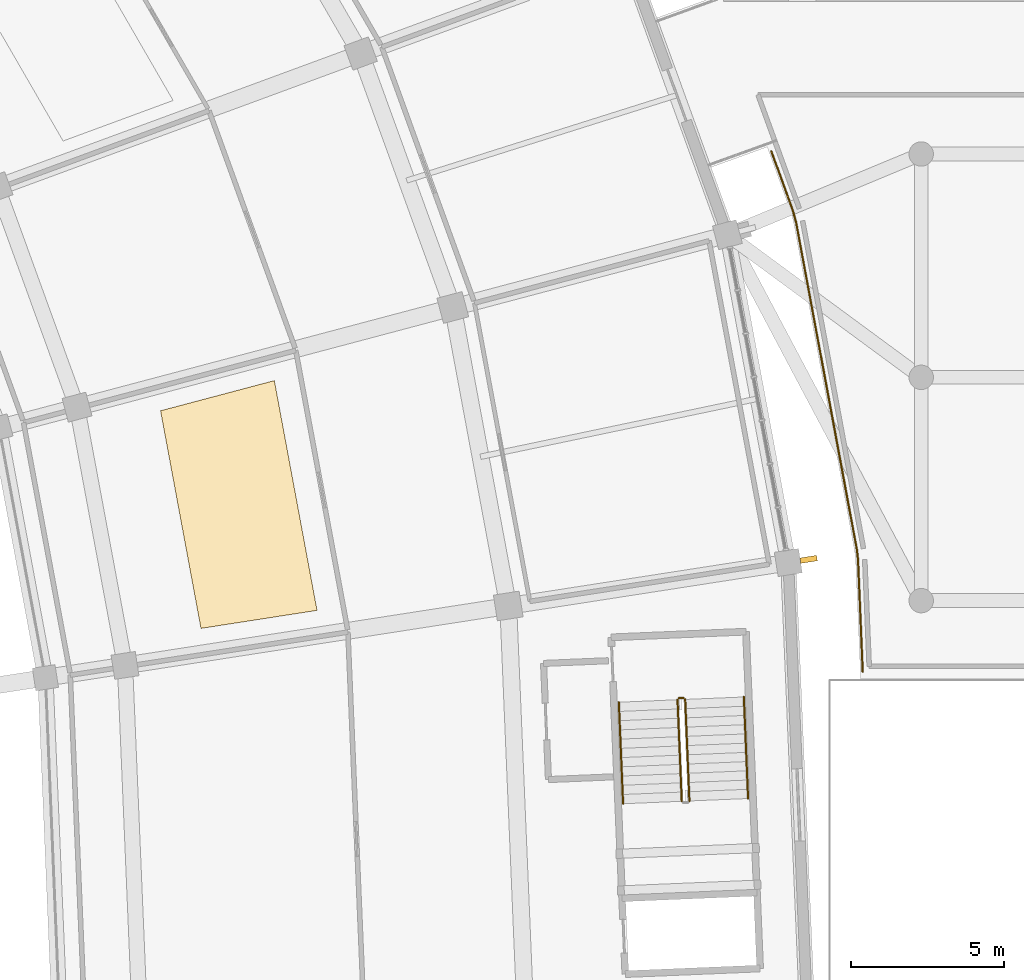
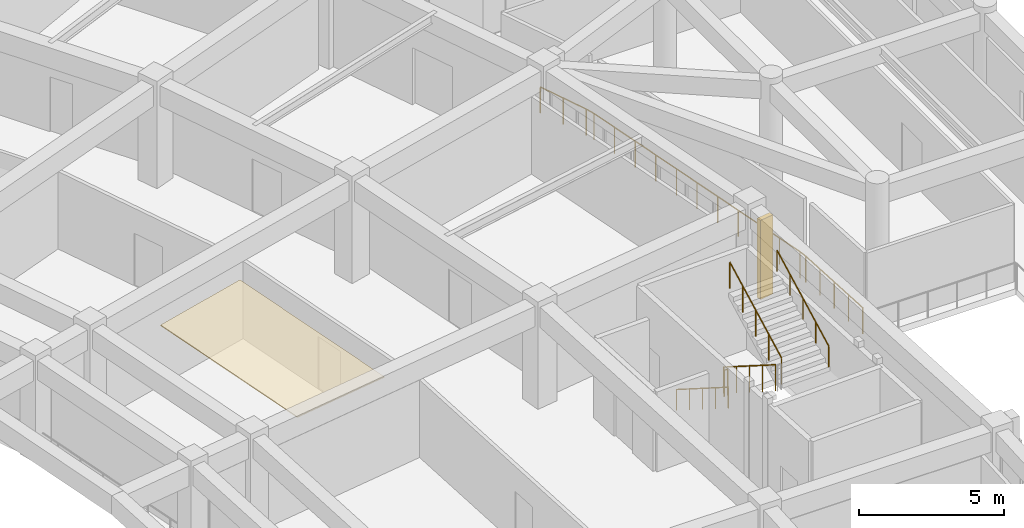
# One storey, part 134 of 145: 6 railings, 1 covering, 1 shading device.
"""IFC4 building model written with IfcOpenShell, lengths in metres."""

from ifc_helpers import new_model, si_unit, direction, frame, origin, origin_2d, place, context, subcontext, project, spatial, polyline, rectangle, circle, outline, extrude, material, layer, layer_set, type_object, element, save


model = new_model("IFC4")

# Units and contexts
model_context = context("Model", 3, precision=1e-05, world=origin(), true_north=direction((0.0, 1.0)))
body_context = subcontext(model_context, "Body", "Model", "MODEL_VIEW")
ifc_project = project(units=[si_unit("LENGTHUNIT", "METRE"), si_unit("AREAUNIT", "SQUARE_METRE"), si_unit("VOLUMEUNIT", "CUBIC_METRE"), si_unit("PLANEANGLEUNIT", "RADIAN"), si_unit("MASSUNIT", "GRAM", prefix="KILO")], contexts=[model_context])

# Site, building, storey
site_placement = place(None, origin())
site = spatial("IfcSite", under=ifc_project, at=site_placement, CompositionType="ELEMENT")
building_placement = place(site_placement, origin())
building = spatial("IfcBuilding", under=site, at=building_placement, Name="Mphavela Belvedere Stadium", CompositionType="ELEMENT")
storey_placement = place(building_placement, frame((0.0, 0.0, 10.199951171875)))
storey = spatial("IfcBuildingStorey", under=building, at=storey_placement, Name="L02", CompositionType="ELEMENT", Elevation=10.199951171875)

# Covering
ifc_material_1 = material(Name="Perforated acoustic mineral ceiling tile")
ifc_layer = layer(ifc_material_1, 0.0400390625)
ifc_layer_set = layer_set([ifc_layer], Name="Perforated acoustic mineral ceiling tile")
covering_type = type_object("IfcCoveringType", Name="COV-CEILING-ACOUSTIC", PredefinedType="CEILING", material=ifc_layer_set)
covering_placement = place(storey_placement, frame((0.0, 0.0, 3.199951171875)))
element("IfcCovering", 1, at=covering_placement, inside=storey, type_object=covering_type, Name="Concourse acoustic ceiling L02-02", PredefinedType="CEILING", context=body_context, shape_type="SweptSolid", body=[
    extrude(outline(polyline([(197.955322265625, 100.692626953125), (196.634033203125, 107.806396484375), (200.353271484375, 108.79248046875), (201.74853515625, 101.281005859375), (197.955322265625, 100.692626953125)])), origin(), (0.0, 0.0, 1.0), 0.0400390625),
])

# Railings
ifc_material_2 = material(Name="Bronze and laminated glass stadium balustrade", Category="glass")
railing_type_1 = type_object("IfcRailingType", Name="RAL-BALUSTRADE-1120", PredefinedType="BALUSTRADE", material=ifc_material_2)
railing_1_placement = place(storey_placement, frame((219.5869140625, 99.280029296875, 0.0)))
element("IfcRailing", 2, at=railing_1_placement, inside=storey, type_object=railing_type_1, Name="Peristyle wing gallery edge balustrade L02-62", PredefinedType="BALUSTRADE", context=body_context, shape_type="SweptSolid", body=[
    extrude(circle(Radius=0.02392578125, at=origin_2d()), frame((0.0, 0.0, 1.09619140625), z_axis=(-0.041913249869, 0.999121253645, 0.0), x_axis=(-0.999121253645, -0.041913249869, 0.0)), (0.0, 0.0, 1.0), 3.663818359375),
    extrude(circle(Radius=0.02392578125, at=origin_2d()), frame((-0.153564453125, 3.66064453125, 1.09619140625), z_axis=(-0.111925462349, 0.993716604912, 0.0), x_axis=(-0.993716604912, -0.111925462349, 0.0)), (0.0, 0.0, 1.0), 0.32275390625),
    extrude(circle(Radius=0.02392578125, at=origin_2d()), frame((-0.189697265625, 3.9814453125, 1.09619140625), z_axis=(-0.182655268054, 0.983177020201, 0.0), x_axis=(-0.983177020201, -0.182655268054, 0.0)), (0.0, 0.0, 1.0), 10.904052734375),
    extrude(circle(Radius=0.02392578125, at=origin_2d()), frame((-2.181396484375, 14.7021484375, 1.09619140625), z_axis=(-0.263228770057, 0.96473344226, 0.0), x_axis=(-0.96473344226, -0.263228770057, 0.0)), (0.0, 0.0, 1.0), 0.37109375),
    extrude(circle(Radius=0.02392578125, at=origin_2d()), frame((-2.279052734375, 15.06005859375, 1.09619140625), z_axis=(-0.3409855965, 0.940068520364, 0.0), x_axis=(-0.940068520364, -0.3409855965, 0.0)), (0.0, 0.0, 1.0), 2.070556640625),
    extrude(circle(Radius=0.02099609375, at=origin_2d()), origin(), (0.0, 0.0, 1.0), 1.072021484375),
    extrude(circle(Radius=0.02099609375, at=origin_2d()), frame((-0.038330078125, 0.9150390625, 0.0)), (0.0, 0.0, 1.0), 1.072021484375),
    extrude(circle(Radius=0.02099609375, at=origin_2d()), frame((-0.07666015625, 1.830322265625, 0.0)), (0.0, 0.0, 1.0), 1.072021484375),
    extrude(circle(Radius=0.02099609375, at=origin_2d()), frame((-0.115234375, 2.74560546875, 0.0)), (0.0, 0.0, 1.0), 1.072021484375),
    extrude(circle(Radius=0.02099609375, at=origin_2d()), frame((-0.153564453125, 3.66064453125, 0.0)), (0.0, 0.0, 1.0), 1.072021484375),
    extrude(circle(Radius=0.02099609375, at=origin_2d()), frame((-0.189697265625, 3.9814453125, 0.0)), (0.0, 0.0, 1.0), 1.072021484375),
    extrude(circle(Radius=0.02099609375, at=origin_2d()), frame((-0.388916015625, 5.053466796875, 0.0)), (0.0, 0.0, 1.0), 1.072021484375),
    extrude(circle(Radius=0.02099609375, at=origin_2d()), frame((-0.588134765625, 6.12548828125, 0.0)), (0.0, 0.0, 1.0), 1.072021484375),
    extrude(circle(Radius=0.02099609375, at=origin_2d()), frame((-0.787109375, 7.19775390625, 0.0)), (0.0, 0.0, 1.0), 1.072021484375),
    extrude(circle(Radius=0.02099609375, at=origin_2d()), frame((-0.986328125, 8.269775390625, 0.0)), (0.0, 0.0, 1.0), 1.072021484375),
    extrude(circle(Radius=0.02099609375, at=origin_2d()), frame((-1.185546875, 9.341796875, 0.0)), (0.0, 0.0, 1.0), 1.072021484375),
    extrude(circle(Radius=0.02099609375, at=origin_2d()), frame((-1.384765625, 10.413818359375, 0.0)), (0.0, 0.0, 1.0), 1.072021484375),
    extrude(circle(Radius=0.02099609375, at=origin_2d()), frame((-1.583984375, 11.48583984375, 0.0)), (0.0, 0.0, 1.0), 1.072021484375),
    extrude(circle(Radius=0.02099609375, at=origin_2d()), frame((-1.782958984375, 12.55810546875, 0.0)), (0.0, 0.0, 1.0), 1.072021484375),
    extrude(circle(Radius=0.02099609375, at=origin_2d()), frame((-1.982177734375, 13.630126953125, 0.0)), (0.0, 0.0, 1.0), 1.072021484375),
    extrude(circle(Radius=0.02099609375, at=origin_2d()), frame((-2.181396484375, 14.7021484375, 0.0)), (0.0, 0.0, 1.0), 1.072021484375),
    extrude(circle(Radius=0.02099609375, at=origin_2d()), frame((-2.279052734375, 15.06005859375, 0.0)), (0.0, 0.0, 1.0), 1.072021484375),
    extrude(circle(Radius=0.02099609375, at=origin_2d()), frame((-2.632080078125, 16.033203125, 0.0)), (0.0, 0.0, 1.0), 1.072021484375),
    extrude(circle(Radius=0.02099609375, at=origin_2d()), frame((-2.985107421875, 17.006591796875, 0.0)), (0.0, 0.0, 1.0), 1.072021484375),
])
ifc_material_3 = material(Name="Painted galvanised steel stair guardrail", Category="steel")
railing_type_2 = type_object("IfcRailingType", Name="RAL-GUARD-1120", PredefinedType="GUARDRAIL", material=ifc_material_3)
railing_2_placement = place(storey_placement, frame((213.532958984375, 98.359375, 0.1875)))
element("IfcRailing", 3, at=railing_2_placement, inside=storey, type_object=railing_type_2, Name="L02 ST-C01 stair guard 1", PredefinedType="GUARDRAIL", context=body_context, shape_type="SweptSolid", body=[
    extrude(circle(Radius=0.02392578125, at=origin_2d()), frame((0.0, 0.0, 1.09619140625), z_axis=(0.035589037861, -0.848829771435, 0.527467003243), x_axis=(0.999122212945, 0.041890375975, 0.0)), (0.0, 0.0, 1.0), 3.91015625),
    extrude(circle(Radius=0.02099609375, at=origin_2d()), origin(), (0.0, 0.0, 1.0), 1.072021484375),
    extrude(circle(Radius=0.02099609375, at=origin_2d()), frame((0.03466796875, -0.829833984375, 0.515625)), (0.0, 0.0, 1.0), 1.072021484375),
    extrude(circle(Radius=0.02099609375, at=origin_2d()), frame((0.069580078125, -1.65966796875, 1.03125)), (0.0, 0.0, 1.0), 1.072021484375),
    extrude(circle(Radius=0.02099609375, at=origin_2d()), frame((0.1044921875, -2.4892578125, 1.546875)), (0.0, 0.0, 1.0), 1.072021484375),
    extrude(circle(Radius=0.02099609375, at=origin_2d()), frame((0.13916015625, -3.319091796875, 2.0625)), (0.0, 0.0, 1.0), 1.072021484375),
])
railing_3_placement = place(storey_placement, frame((213.921875, 95.05078125, 2.4375)))
element("IfcRailing", 4, at=railing_3_placement, inside=storey, type_object=railing_type_2, Name="L02 ST-C01 stair guard 3", PredefinedType="GUARDRAIL", context=body_context, shape_type="SweptSolid", body=[
    extrude(circle(Radius=0.02392578125, at=origin_2d()), frame((0.0, 0.0, 1.09619140625), z_axis=(-0.035589037861, 0.848829771435, 0.527467003243), x_axis=(-0.999122212945, -0.041890375975, 0.0)), (0.0, 0.0, 1.0), 3.91015625),
    extrude(circle(Radius=0.02099609375, at=origin_2d()), origin(), (0.0, 0.0, 1.0), 1.072021484375),
    extrude(circle(Radius=0.02099609375, at=origin_2d()), frame((-0.03466796875, 0.829833984375, 0.515625)), (0.0, 0.0, 1.0), 1.072021484375),
    extrude(circle(Radius=0.02099609375, at=origin_2d()), frame((-0.069580078125, 1.65966796875, 1.03125)), (0.0, 0.0, 1.0), 1.072021484375),
    extrude(circle(Radius=0.02099609375, at=origin_2d()), frame((-0.1044921875, 2.4892578125, 1.546875)), (0.0, 0.0, 1.0), 1.072021484375),
    extrude(circle(Radius=0.02099609375, at=origin_2d()), frame((-0.13916015625, 3.319091796875, 2.0625)), (0.0, 0.0, 1.0), 1.072021484375),
])
railing_4_placement = place(storey_placement, frame((213.580810546875, 98.41162109375, 0.0)))
element("IfcRailing", 5, at=railing_4_placement, inside=storey, type_object=railing_type_2, Name="L02 ST-C01 stair guard 4", PredefinedType="GUARDRAIL", context=body_context, shape_type="SweptSolid", body=[
    extrude(circle(Radius=0.02392578125, at=origin_2d()), frame((0.0, 0.0, 1.09619140625), z_axis=(0.999172107982, 0.040682903419, 0.0), x_axis=(-0.040682903419, 0.999172107982, 0.0)), (0.0, 0.0, 1.0), 0.150146484375),
    extrude(circle(Radius=0.02099609375, at=origin_2d()), origin(), (0.0, 0.0, 1.0), 1.072021484375),
    extrude(circle(Radius=0.02099609375, at=origin_2d()), frame((0.14990234375, 0.006103515625, 0.0)), (0.0, 0.0, 1.0), 1.072021484375),
])
ifc_material_4 = material(Name="Brushed stainless steel tubular handrail", Category="steel")
railing_type_3 = type_object("IfcRailingType", Name="RAL-HANDRAIL-900", PredefinedType="HANDRAIL", material=ifc_material_4)
railing_5_placement = place(storey_placement, frame((211.61474609375, 98.279052734375, 0.1875)))
element("IfcRailing", 6, at=railing_5_placement, inside=storey, type_object=railing_type_3, Name="L02 ST-C01 stair handrail 1", PredefinedType="HANDRAIL", context=body_context, shape_type="SweptSolid", body=[
    extrude(circle(Radius=0.02392578125, at=origin_2d()), frame((0.0, 0.0, 0.8759765625), z_axis=(0.035526679826, -0.848831655946, 0.527468174287), x_axis=(0.999125286162, 0.041817012712, 0.0)), (0.0, 0.0, 1.0), 3.91015625),
    extrude(circle(Radius=0.02099609375, at=origin_2d()), origin(), (0.0, 0.0, 1.0), 0.851806640625),
    extrude(circle(Radius=0.02099609375, at=origin_2d()), frame((0.03466796875, -0.829833984375, 0.515625)), (0.0, 0.0, 1.0), 0.851806640625),
    extrude(circle(Radius=0.02099609375, at=origin_2d()), frame((0.0693359375, -1.65966796875, 1.03125)), (0.0, 0.0, 1.0), 0.851806640625),
    extrude(circle(Radius=0.02099609375, at=origin_2d()), frame((0.104248046875, -2.4892578125, 1.546875)), (0.0, 0.0, 1.0), 0.851806640625),
    extrude(circle(Radius=0.02099609375, at=origin_2d()), frame((0.138916015625, -3.319091796875, 2.0625)), (0.0, 0.0, 1.0), 0.851806640625),
])
railing_6_placement = place(storey_placement, frame((215.840087890625, 95.13134765625, 2.4375)))
element("IfcRailing", 7, at=railing_6_placement, inside=storey, type_object=railing_type_3, Name="L02 ST-C01 stair handrail 2", PredefinedType="HANDRAIL", context=body_context, shape_type="SweptSolid", body=[
    extrude(circle(Radius=0.02392578125, at=origin_2d()), frame((0.0, 0.0, 0.8759765625), z_axis=(-0.035526679826, 0.848831655946, 0.527468174287), x_axis=(-0.999125286162, -0.041817012712, 0.0)), (0.0, 0.0, 1.0), 3.91015625),
    extrude(circle(Radius=0.02099609375, at=origin_2d()), origin(), (0.0, 0.0, 1.0), 0.851806640625),
    extrude(circle(Radius=0.02099609375, at=origin_2d()), frame((-0.03466796875, 0.829833984375, 0.515625)), (0.0, 0.0, 1.0), 0.851806640625),
    extrude(circle(Radius=0.02099609375, at=origin_2d()), frame((-0.0693359375, 1.65966796875, 1.03125)), (0.0, 0.0, 1.0), 0.851806640625),
    extrude(circle(Radius=0.02099609375, at=origin_2d()), frame((-0.104248046875, 2.4892578125, 1.546875)), (0.0, 0.0, 1.0), 0.851806640625),
    extrude(circle(Radius=0.02099609375, at=origin_2d()), frame((-0.138916015625, 3.319091796875, 2.0625)), (0.0, 0.0, 1.0), 0.851806640625),
])

# Shading device
ifc_material_5 = material(Name="Honed limestone and bronze vertical brise-soleil fin", Category="masonry")
shading_device_type = type_object("IfcShadingDeviceType", Name="SHD-SOLAR-FIN", PredefinedType="USERDEFINED", material=ifc_material_5)
shading_device_placement = place(storey_placement, frame((217.8203125, 102.9482421875, 0.0), z_axis=(0.0, 0.0, 1.0), x_axis=(0.98817491911, 0.153330783737, 0.0)))
element("IfcShadingDevice", 8, at=shading_device_placement, inside=storey, type_object=shading_device_type, Name="Classical vertical solar brise-soleil fin L02-02", ObjectType="SOLAR FIN", PredefinedType="USERDEFINED", context=body_context, shape_type="SweptSolid", body=[
    extrude(rectangle(XDim=0.550048828125, YDim=0.179931640625, at=origin_2d()), origin(), (0.0, 0.0, 1.0), 3.320068359375),
])

save(model, "model.ifc")
